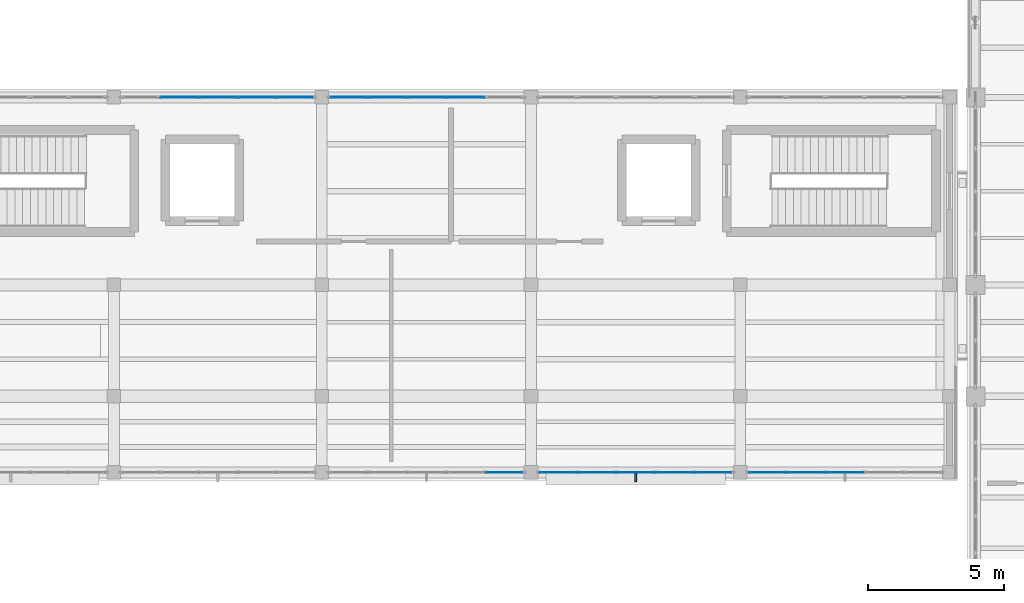
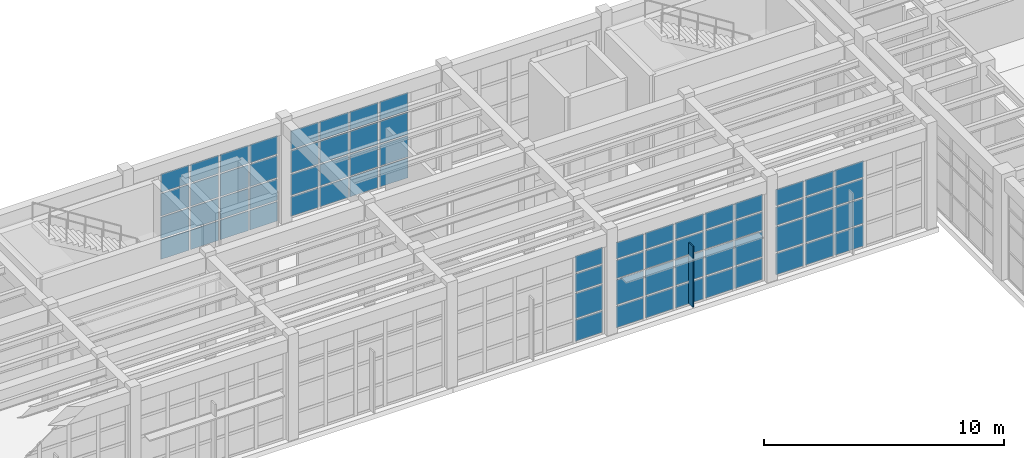
# One storey, part 71 of 103: 69 plates, 5 elements without a shape of their own.
"""IFC4 building model written with IfcOpenShell, lengths in metres."""

from ifc_helpers import new_model, si_unit, direction, frame, origin, origin_2d, place, context, subcontext, project, spatial, rectangle, extrude, material, layer, layer_set, type_object, element, aggregate, save


model = new_model("IFC4")

# Units and contexts
model_context = context("Model", 3, precision=1e-05, world=origin(), true_north=direction((0.0, 1.0)))
body_context = subcontext(model_context, "Body", "Model", "MODEL_VIEW")
ifc_project = project(units=[si_unit("LENGTHUNIT", "METRE"), si_unit("AREAUNIT", "SQUARE_METRE"), si_unit("VOLUMEUNIT", "CUBIC_METRE"), si_unit("PLANEANGLEUNIT", "RADIAN"), si_unit("MASSUNIT", "GRAM", prefix="KILO")], contexts=[model_context])

# Site, building, storey
site_placement = place(None, origin())
site = spatial("IfcSite", under=ifc_project, at=site_placement, CompositionType="ELEMENT")
building_placement = place(site_placement, origin())
building = spatial("IfcBuilding", under=site, at=building_placement, Name="Candilejo Ridge Gondola Terminal", CompositionType="ELEMENT")
storey_placement = place(building_placement, frame((0.0, 0.0, 9.0)))
storey = spatial("IfcBuildingStorey", under=building, at=storey_placement, Name="L02", CompositionType="ELEMENT", Elevation=9.0)

# Curtain wall, plates
ifc_material_1 = material(Name="Anodised aluminium AA 6063-T6", Category="aluminium")
ifc_layer_1 = layer(ifc_material_1, 0.169921875)
ifc_layer_set_1 = layer_set([ifc_layer_1], Name="ARC-CW-GALLERY-3200-715X449")
curtain_wall_type_1 = type_object("IfcCurtainWallType", Name="ARC-CW-GALLERY-3200-715X449", PredefinedType="NOTDEFINED", material=ifc_layer_set_1)
curtain_wall_1_placement = place(storey_placement, origin())
curtain_wall_1 = element("IfcCurtainWall", 1, at=curtain_wall_1_placement, inside=storey, type_object=curtain_wall_type_1, Name="Curtain wall V3 L02-086", PredefinedType="NOTDEFINED")
ifc_material_2 = material(Name="Low-E laminated double glazing 6+12A+6+1.52PVB+6 mm", Category="glass")
ifc_layer_2 = layer(ifc_material_2, 0.028076171875)
ifc_layer_set_2 = layer_set([ifc_layer_2], Name="ARC-CW-GLAZ-PANEL")
plate_type_1 = type_object("IfcPlateType", Name="ARC-CW-GLAZ-PANEL", PredefinedType="CURTAIN_PANEL", material=ifc_layer_set_2)
plate_1_placement = place(storey_placement, frame((104.594970703125, 36.699951171875, 0.0751953125), z_axis=(0.0, 0.0, 1.0), x_axis=(1.0, 0.0, 0.0)))
plate_1 = element("IfcPlate", 2, at=plate_1_placement, type_object=plate_type_1, Name="CW-71X44 panel 2.1", PredefinedType="CURTAIN_PANEL", context=body_context, shape_type="SweptSolid", body=[
    extrude(rectangle(XDim=1.35498046875, YDim=0.028076171875, at=origin_2d()), origin(), (0.0, 0.0, 1.0), 0.987548828125),
])
plate_2_placement = place(storey_placement, frame((104.594970703125, 36.699951171875, 1.1376953125), z_axis=(0.0, 0.0, 1.0), x_axis=(1.0, 0.0, 0.0)))
plate_2 = element("IfcPlate", 3, at=plate_2_placement, type_object=plate_type_1, Name="CW-71X44 panel 2.2", PredefinedType="CURTAIN_PANEL", context=body_context, shape_type="SweptSolid", body=[
    extrude(rectangle(XDim=1.35498046875, YDim=0.028076171875, at=origin_2d()), origin(), (0.0, 0.0, 1.0), 1.074951171875),
])
plate_3_placement = place(storey_placement, frame((104.594970703125, 36.699951171875, 2.28759765625), z_axis=(0.0, 0.0, 1.0), x_axis=(1.0, 0.0, 0.0)))
plate_3 = element("IfcPlate", 4, at=plate_3_placement, type_object=plate_type_1, Name="CW-71X44 panel 2.3", PredefinedType="CURTAIN_PANEL", context=body_context, shape_type="SweptSolid", body=[
    extrude(rectangle(XDim=1.35498046875, YDim=0.028076171875, at=origin_2d()), origin(), (0.0, 0.0, 1.0), 1.125),
])
plate_4_placement = place(storey_placement, frame((104.594970703125, 36.699951171875, 3.4873046875), z_axis=(0.0, 0.0, 1.0), x_axis=(1.0, 0.0, 0.0)))
plate_4 = element("IfcPlate", 5, at=plate_4_placement, type_object=plate_type_1, Name="CW-71X44 panel 2.4", PredefinedType="CURTAIN_PANEL", context=body_context, shape_type="SweptSolid", body=[
    extrude(rectangle(XDim=1.35498046875, YDim=0.028076171875, at=origin_2d()), origin(), (0.0, 0.0, 1.0), 0.927490234375),
])
plate_5_placement = place(storey_placement, frame((106.02490234375, 36.699951171875, 0.0751953125), z_axis=(0.0, 0.0, 1.0), x_axis=(1.0, 0.0, 0.0)))
plate_5 = element("IfcPlate", 6, at=plate_5_placement, type_object=plate_type_1, Name="CW-71X44 panel 3.1", PredefinedType="CURTAIN_PANEL", context=body_context, shape_type="SweptSolid", body=[
    extrude(rectangle(XDim=1.35498046875, YDim=0.028076171875, at=origin_2d()), origin(), (0.0, 0.0, 1.0), 0.987548828125),
])
plate_6_placement = place(storey_placement, frame((106.02490234375, 36.699951171875, 1.1376953125), z_axis=(0.0, 0.0, 1.0), x_axis=(1.0, 0.0, 0.0)))
plate_6 = element("IfcPlate", 7, at=plate_6_placement, type_object=plate_type_1, Name="CW-71X44 panel 3.2", PredefinedType="CURTAIN_PANEL", context=body_context, shape_type="SweptSolid", body=[
    extrude(rectangle(XDim=1.35498046875, YDim=0.028076171875, at=origin_2d()), origin(), (0.0, 0.0, 1.0), 1.074951171875),
])
plate_7_placement = place(storey_placement, frame((106.02490234375, 36.699951171875, 2.28759765625), z_axis=(0.0, 0.0, 1.0), x_axis=(1.0, 0.0, 0.0)))
plate_7 = element("IfcPlate", 8, at=plate_7_placement, type_object=plate_type_1, Name="CW-71X44 panel 3.3", PredefinedType="CURTAIN_PANEL", context=body_context, shape_type="SweptSolid", body=[
    extrude(rectangle(XDim=1.35498046875, YDim=0.028076171875, at=origin_2d()), origin(), (0.0, 0.0, 1.0), 1.125),
])
plate_8_placement = place(storey_placement, frame((106.02490234375, 36.699951171875, 3.4873046875), z_axis=(0.0, 0.0, 1.0), x_axis=(1.0, 0.0, 0.0)))
plate_8 = element("IfcPlate", 9, at=plate_8_placement, type_object=plate_type_1, Name="CW-71X44 panel 3.4", PredefinedType="CURTAIN_PANEL", context=body_context, shape_type="SweptSolid", body=[
    extrude(rectangle(XDim=1.35498046875, YDim=0.028076171875, at=origin_2d()), origin(), (0.0, 0.0, 1.0), 0.927490234375),
])
plate_9_placement = place(storey_placement, frame((107.455078125, 36.699951171875, 0.0751953125), z_axis=(0.0, 0.0, 1.0), x_axis=(1.0, 0.0, 0.0)))
plate_9 = element("IfcPlate", 10, at=plate_9_placement, type_object=plate_type_1, Name="CW-71X44 panel 4.1", PredefinedType="CURTAIN_PANEL", context=body_context, shape_type="SweptSolid", body=[
    extrude(rectangle(XDim=1.35498046875, YDim=0.028076171875, at=origin_2d()), origin(), (0.0, 0.0, 1.0), 0.987548828125),
])
plate_10_placement = place(storey_placement, frame((107.455078125, 36.699951171875, 1.1376953125), z_axis=(0.0, 0.0, 1.0), x_axis=(1.0, 0.0, 0.0)))
plate_10 = element("IfcPlate", 11, at=plate_10_placement, type_object=plate_type_1, Name="CW-71X44 panel 4.2", PredefinedType="CURTAIN_PANEL", context=body_context, shape_type="SweptSolid", body=[
    extrude(rectangle(XDim=1.35498046875, YDim=0.028076171875, at=origin_2d()), origin(), (0.0, 0.0, 1.0), 1.074951171875),
])
plate_11_placement = place(storey_placement, frame((107.455078125, 36.699951171875, 2.28759765625), z_axis=(0.0, 0.0, 1.0), x_axis=(1.0, 0.0, 0.0)))
plate_11 = element("IfcPlate", 12, at=plate_11_placement, type_object=plate_type_1, Name="CW-71X44 panel 4.3", PredefinedType="CURTAIN_PANEL", context=body_context, shape_type="SweptSolid", body=[
    extrude(rectangle(XDim=1.35498046875, YDim=0.028076171875, at=origin_2d()), origin(), (0.0, 0.0, 1.0), 1.125),
])
plate_12_placement = place(storey_placement, frame((107.455078125, 36.699951171875, 3.4873046875), z_axis=(0.0, 0.0, 1.0), x_axis=(1.0, 0.0, 0.0)))
plate_12 = element("IfcPlate", 13, at=plate_12_placement, type_object=plate_type_1, Name="CW-71X44 panel 4.4", PredefinedType="CURTAIN_PANEL", context=body_context, shape_type="SweptSolid", body=[
    extrude(rectangle(XDim=1.35498046875, YDim=0.028076171875, at=origin_2d()), origin(), (0.0, 0.0, 1.0), 0.927490234375),
])
plate_13_placement = place(storey_placement, frame((108.8662109375, 36.699951171875, 0.0751953125), z_axis=(0.0, 0.0, 1.0), x_axis=(1.0, 0.0, 0.0)))
plate_13 = element("IfcPlate", 14, at=plate_13_placement, type_object=plate_type_1, Name="CW-71X44 panel 5.1", PredefinedType="CURTAIN_PANEL", context=body_context, shape_type="SweptSolid", body=[
    extrude(rectangle(XDim=1.3173828125, YDim=0.028076171875, at=origin_2d()), origin(), (0.0, 0.0, 1.0), 0.987548828125),
])
plate_14_placement = place(storey_placement, frame((108.8662109375, 36.699951171875, 1.1376953125), z_axis=(0.0, 0.0, 1.0), x_axis=(1.0, 0.0, 0.0)))
plate_14 = element("IfcPlate", 15, at=plate_14_placement, type_object=plate_type_1, Name="CW-71X44 panel 5.2", PredefinedType="CURTAIN_PANEL", context=body_context, shape_type="SweptSolid", body=[
    extrude(rectangle(XDim=1.3173828125, YDim=0.028076171875, at=origin_2d()), origin(), (0.0, 0.0, 1.0), 1.074951171875),
])
plate_15_placement = place(storey_placement, frame((108.8662109375, 36.699951171875, 2.28759765625), z_axis=(0.0, 0.0, 1.0), x_axis=(1.0, 0.0, 0.0)))
plate_15 = element("IfcPlate", 16, at=plate_15_placement, type_object=plate_type_1, Name="CW-71X44 panel 5.3", PredefinedType="CURTAIN_PANEL", context=body_context, shape_type="SweptSolid", body=[
    extrude(rectangle(XDim=1.3173828125, YDim=0.028076171875, at=origin_2d()), origin(), (0.0, 0.0, 1.0), 1.125),
])
plate_16_placement = place(storey_placement, frame((108.8662109375, 36.699951171875, 3.4873046875), z_axis=(0.0, 0.0, 1.0), x_axis=(1.0, 0.0, 0.0)))
plate_16 = element("IfcPlate", 17, at=plate_16_placement, type_object=plate_type_1, Name="CW-71X44 panel 5.4", PredefinedType="CURTAIN_PANEL", context=body_context, shape_type="SweptSolid", body=[
    extrude(rectangle(XDim=1.3173828125, YDim=0.028076171875, at=origin_2d()), origin(), (0.0, 0.0, 1.0), 0.927490234375),
])
aggregate(curtain_wall_1, [plate_1, plate_2, plate_3, plate_4, plate_5, plate_6, plate_7, plate_8, plate_9, plate_10, plate_11, plate_12, plate_13, plate_14, plate_15, plate_16])

ifc_material_3 = material(Name="Anodised aluminium AA 6063-T6", Category="aluminium")
ifc_layer_3 = layer(ifc_material_3, 0.169921875)
ifc_layer_set_3 = layer_set([ifc_layer_3], Name="ARC-CW-GALLERY-3200-720X449")
curtain_wall_type_2 = type_object("IfcCurtainWallType", Name="ARC-CW-GALLERY-3200-720X449", PredefinedType="NOTDEFINED", material=ifc_layer_set_3)
curtain_wall_2_placement = place(storey_placement, origin())
curtain_wall_2 = element("IfcCurtainWall", 18, at=curtain_wall_2_placement, inside=storey, type_object=curtain_wall_type_2, Name="Curtain wall V3 L02-088", PredefinedType="NOTDEFINED")
plate_17_placement = place(storey_placement, frame((110.8388671875, 36.699951171875, 0.0751953125), z_axis=(0.0, 0.0, 1.0), x_axis=(1.0, 0.0, 0.0)))
plate_17 = element("IfcPlate", 19, at=plate_17_placement, type_object=plate_type_1, Name="CW-72X44 panel 1.1", PredefinedType="CURTAIN_PANEL", context=body_context, shape_type="SweptSolid", body=[
    extrude(rectangle(XDim=1.327392578125, YDim=0.028076171875, at=origin_2d()), origin(), (0.0, 0.0, 1.0), 0.987548828125),
])
plate_18_placement = place(storey_placement, frame((110.8388671875, 36.699951171875, 1.1376953125), z_axis=(0.0, 0.0, 1.0), x_axis=(1.0, 0.0, 0.0)))
plate_18 = element("IfcPlate", 20, at=plate_18_placement, type_object=plate_type_1, Name="CW-72X44 panel 1.2", PredefinedType="CURTAIN_PANEL", context=body_context, shape_type="SweptSolid", body=[
    extrude(rectangle(XDim=1.327392578125, YDim=0.028076171875, at=origin_2d()), origin(), (0.0, 0.0, 1.0), 1.074951171875),
])
plate_19_placement = place(storey_placement, frame((110.8388671875, 36.699951171875, 2.28759765625), z_axis=(0.0, 0.0, 1.0), x_axis=(1.0, 0.0, 0.0)))
plate_19 = element("IfcPlate", 21, at=plate_19_placement, type_object=plate_type_1, Name="CW-72X44 panel 1.3", PredefinedType="CURTAIN_PANEL", context=body_context, shape_type="SweptSolid", body=[
    extrude(rectangle(XDim=1.327392578125, YDim=0.028076171875, at=origin_2d()), origin(), (0.0, 0.0, 1.0), 1.125),
])
plate_20_placement = place(storey_placement, frame((110.8388671875, 36.699951171875, 3.4873046875), z_axis=(0.0, 0.0, 1.0), x_axis=(1.0, 0.0, 0.0)))
plate_20 = element("IfcPlate", 22, at=plate_20_placement, type_object=plate_type_1, Name="CW-72X44 panel 1.4", PredefinedType="CURTAIN_PANEL", context=body_context, shape_type="SweptSolid", body=[
    extrude(rectangle(XDim=1.327392578125, YDim=0.028076171875, at=origin_2d()), origin(), (0.0, 0.0, 1.0), 0.927490234375),
])
plate_21_placement = place(storey_placement, frame((112.260009765625, 36.699951171875, 0.0751953125), z_axis=(0.0, 0.0, 1.0), x_axis=(1.0, 0.0, 0.0)))
plate_21 = element("IfcPlate", 23, at=plate_21_placement, type_object=plate_type_1, Name="CW-72X44 panel 2.1", PredefinedType="CURTAIN_PANEL", context=body_context, shape_type="SweptSolid", body=[
    extrude(rectangle(XDim=1.364990234375, YDim=0.028076171875, at=origin_2d()), origin(), (0.0, 0.0, 1.0), 0.987548828125),
])
plate_22_placement = place(storey_placement, frame((112.260009765625, 36.699951171875, 1.1376953125), z_axis=(0.0, 0.0, 1.0), x_axis=(1.0, 0.0, 0.0)))
plate_22 = element("IfcPlate", 24, at=plate_22_placement, type_object=plate_type_1, Name="CW-72X44 panel 2.2", PredefinedType="CURTAIN_PANEL", context=body_context, shape_type="SweptSolid", body=[
    extrude(rectangle(XDim=1.364990234375, YDim=0.028076171875, at=origin_2d()), origin(), (0.0, 0.0, 1.0), 1.074951171875),
])
plate_23_placement = place(storey_placement, frame((112.260009765625, 36.699951171875, 2.28759765625), z_axis=(0.0, 0.0, 1.0), x_axis=(1.0, 0.0, 0.0)))
plate_23 = element("IfcPlate", 25, at=plate_23_placement, type_object=plate_type_1, Name="CW-72X44 panel 2.3", PredefinedType="CURTAIN_PANEL", context=body_context, shape_type="SweptSolid", body=[
    extrude(rectangle(XDim=1.364990234375, YDim=0.028076171875, at=origin_2d()), origin(), (0.0, 0.0, 1.0), 1.125),
])
plate_24_placement = place(storey_placement, frame((112.260009765625, 36.699951171875, 3.4873046875), z_axis=(0.0, 0.0, 1.0), x_axis=(1.0, 0.0, 0.0)))
plate_24 = element("IfcPlate", 26, at=plate_24_placement, type_object=plate_type_1, Name="CW-72X44 panel 2.4", PredefinedType="CURTAIN_PANEL", context=body_context, shape_type="SweptSolid", body=[
    extrude(rectangle(XDim=1.364990234375, YDim=0.028076171875, at=origin_2d()), origin(), (0.0, 0.0, 1.0), 0.927490234375),
])
plate_25_placement = place(storey_placement, frame((113.699951171875, 36.699951171875, 0.0751953125), z_axis=(0.0, 0.0, 1.0), x_axis=(1.0, 0.0, 0.0)))
plate_25 = element("IfcPlate", 27, at=plate_25_placement, type_object=plate_type_1, Name="CW-72X44 panel 3.1", PredefinedType="CURTAIN_PANEL", context=body_context, shape_type="SweptSolid", body=[
    extrude(rectangle(XDim=1.364990234375, YDim=0.028076171875, at=origin_2d()), origin(), (0.0, 0.0, 1.0), 0.987548828125),
])
plate_26_placement = place(storey_placement, frame((113.699951171875, 36.699951171875, 1.1376953125), z_axis=(0.0, 0.0, 1.0), x_axis=(1.0, 0.0, 0.0)))
plate_26 = element("IfcPlate", 28, at=plate_26_placement, type_object=plate_type_1, Name="CW-72X44 panel 3.2", PredefinedType="CURTAIN_PANEL", context=body_context, shape_type="SweptSolid", body=[
    extrude(rectangle(XDim=1.364990234375, YDim=0.028076171875, at=origin_2d()), origin(), (0.0, 0.0, 1.0), 1.074951171875),
])
plate_27_placement = place(storey_placement, frame((113.699951171875, 36.699951171875, 2.28759765625), z_axis=(0.0, 0.0, 1.0), x_axis=(1.0, 0.0, 0.0)))
plate_27 = element("IfcPlate", 29, at=plate_27_placement, type_object=plate_type_1, Name="CW-72X44 panel 3.3", PredefinedType="CURTAIN_PANEL", context=body_context, shape_type="SweptSolid", body=[
    extrude(rectangle(XDim=1.364990234375, YDim=0.028076171875, at=origin_2d()), origin(), (0.0, 0.0, 1.0), 1.125),
])
plate_28_placement = place(storey_placement, frame((113.699951171875, 36.699951171875, 3.4873046875), z_axis=(0.0, 0.0, 1.0), x_axis=(1.0, 0.0, 0.0)))
plate_28 = element("IfcPlate", 30, at=plate_28_placement, type_object=plate_type_1, Name="CW-72X44 panel 3.4", PredefinedType="CURTAIN_PANEL", context=body_context, shape_type="SweptSolid", body=[
    extrude(rectangle(XDim=1.364990234375, YDim=0.028076171875, at=origin_2d()), origin(), (0.0, 0.0, 1.0), 0.927490234375),
])
plate_29_placement = place(storey_placement, frame((115.139892578125, 36.699951171875, 0.0751953125), z_axis=(0.0, 0.0, 1.0), x_axis=(1.0, 0.0, 0.0)))
plate_29 = element("IfcPlate", 31, at=plate_29_placement, type_object=plate_type_1, Name="CW-72X44 panel 4.1", PredefinedType="CURTAIN_PANEL", context=body_context, shape_type="SweptSolid", body=[
    extrude(rectangle(XDim=1.364990234375, YDim=0.028076171875, at=origin_2d()), origin(), (0.0, 0.0, 1.0), 0.987548828125),
])
plate_30_placement = place(storey_placement, frame((115.139892578125, 36.699951171875, 1.1376953125), z_axis=(0.0, 0.0, 1.0), x_axis=(1.0, 0.0, 0.0)))
plate_30 = element("IfcPlate", 32, at=plate_30_placement, type_object=plate_type_1, Name="CW-72X44 panel 4.2", PredefinedType="CURTAIN_PANEL", context=body_context, shape_type="SweptSolid", body=[
    extrude(rectangle(XDim=1.364990234375, YDim=0.028076171875, at=origin_2d()), origin(), (0.0, 0.0, 1.0), 1.074951171875),
])
plate_31_placement = place(storey_placement, frame((115.139892578125, 36.699951171875, 2.28759765625), z_axis=(0.0, 0.0, 1.0), x_axis=(1.0, 0.0, 0.0)))
plate_31 = element("IfcPlate", 33, at=plate_31_placement, type_object=plate_type_1, Name="CW-72X44 panel 4.3", PredefinedType="CURTAIN_PANEL", context=body_context, shape_type="SweptSolid", body=[
    extrude(rectangle(XDim=1.364990234375, YDim=0.028076171875, at=origin_2d()), origin(), (0.0, 0.0, 1.0), 1.125),
])
plate_32_placement = place(storey_placement, frame((115.139892578125, 36.699951171875, 3.4873046875), z_axis=(0.0, 0.0, 1.0), x_axis=(1.0, 0.0, 0.0)))
plate_32 = element("IfcPlate", 34, at=plate_32_placement, type_object=plate_type_1, Name="CW-72X44 panel 4.4", PredefinedType="CURTAIN_PANEL", context=body_context, shape_type="SweptSolid", body=[
    extrude(rectangle(XDim=1.364990234375, YDim=0.028076171875, at=origin_2d()), origin(), (0.0, 0.0, 1.0), 0.927490234375),
])
aggregate(curtain_wall_2, [plate_17, plate_18, plate_19, plate_20, plate_21, plate_22, plate_23, plate_24, plate_25, plate_26, plate_27, plate_28, plate_29, plate_30, plate_31, plate_32])

ifc_material_4 = material(Name="Anodised aluminium AA 6063-T6", Category="aluminium")
ifc_layer_4 = layer(ifc_material_4, 0.169921875)
ifc_layer_set_4 = layer_set([ifc_layer_4], Name="ARC-CW-CONCOURSE-3600-720X449")
curtain_wall_type_3 = type_object("IfcCurtainWallType", Name="ARC-CW-CONCOURSE-3600-720X449", PredefinedType="NOTDEFINED", material=ifc_layer_set_4)
curtain_wall_3_placement = place(storey_placement, origin())
curtain_wall_3 = element("IfcCurtainWall", 35, at=curtain_wall_3_placement, inside=storey, type_object=curtain_wall_type_3, Name="Curtain wall V3 L02-089", PredefinedType="NOTDEFINED")
plate_33_placement = place(storey_placement, frame((116.561279296875, 22.89990234375, 0.074951171875), z_axis=(0.0, 0.0, 1.0), x_axis=(1.0, 0.0, 0.0)))
plate_33 = element("IfcPlate", 36, at=plate_33_placement, type_object=plate_type_1, Name="CW-72X44 panel 5.1", PredefinedType="CURTAIN_PANEL", context=body_context, shape_type="SweptSolid", body=[
    extrude(rectangle(XDim=1.327392578125, YDim=0.028076171875, at=origin_2d()), origin(), (0.0, 0.0, 1.0), 1.08740234375),
])
plate_34_placement = place(storey_placement, frame((116.561279296875, 22.89990234375, 1.237548828125), z_axis=(0.0, 0.0, 1.0), x_axis=(1.0, 0.0, 0.0)))
plate_34 = element("IfcPlate", 37, at=plate_34_placement, type_object=plate_type_1, Name="CW-72X44 panel 5.2", PredefinedType="CURTAIN_PANEL", context=body_context, shape_type="SweptSolid", body=[
    extrude(rectangle(XDim=1.327392578125, YDim=0.028076171875, at=origin_2d()), origin(), (0.0, 0.0, 1.0), 1.27490234375),
])
plate_35_placement = place(storey_placement, frame((116.561279296875, 22.89990234375, 2.58740234375), z_axis=(0.0, 0.0, 1.0), x_axis=(1.0, 0.0, 0.0)))
plate_35 = element("IfcPlate", 38, at=plate_35_placement, type_object=plate_type_1, Name="CW-72X44 panel 5.3", PredefinedType="CURTAIN_PANEL", context=body_context, shape_type="SweptSolid", body=[
    extrude(rectangle(XDim=1.327392578125, YDim=0.028076171875, at=origin_2d()), origin(), (0.0, 0.0, 1.0), 0.925048828125),
])
plate_36_placement = place(storey_placement, frame((116.561279296875, 22.89990234375, 3.58740234375), z_axis=(0.0, 0.0, 1.0), x_axis=(1.0, 0.0, 0.0)))
plate_36 = element("IfcPlate", 39, at=plate_36_placement, type_object=plate_type_1, Name="CW-72X44 panel 5.4", PredefinedType="CURTAIN_PANEL", context=body_context, shape_type="SweptSolid", body=[
    extrude(rectangle(XDim=1.327392578125, YDim=0.028076171875, at=origin_2d()), origin(), (0.0, 0.0, 1.0), 0.827392578125),
])
aggregate(curtain_wall_3, [plate_33, plate_34, plate_35, plate_36])

curtain_wall_4_placement = place(storey_placement, origin())
curtain_wall_4 = element("IfcCurtainWall", 40, at=curtain_wall_4_placement, inside=storey, type_object=curtain_wall_type_3, Name="Curtain wall V3 L02-091", PredefinedType="NOTDEFINED")
plate_37_placement = place(storey_placement, frame((118.538818359375, 22.89990234375, 0.074951171875), z_axis=(0.0, 0.0, 1.0), x_axis=(1.0, 0.0, 0.0)))
plate_37 = element("IfcPlate", 41, at=plate_37_placement, type_object=plate_type_1, Name="CW-72X44 panel 1.1", PredefinedType="CURTAIN_PANEL", context=body_context, shape_type="SweptSolid", body=[
    extrude(rectangle(XDim=1.327392578125, YDim=0.028076171875, at=origin_2d()), origin(), (0.0, 0.0, 1.0), 1.08740234375),
])
plate_38_placement = place(storey_placement, frame((118.538818359375, 22.89990234375, 1.237548828125), z_axis=(0.0, 0.0, 1.0), x_axis=(1.0, 0.0, 0.0)))
plate_38 = element("IfcPlate", 42, at=plate_38_placement, type_object=plate_type_1, Name="CW-72X44 panel 1.2", PredefinedType="CURTAIN_PANEL", context=body_context, shape_type="SweptSolid", body=[
    extrude(rectangle(XDim=1.327392578125, YDim=0.028076171875, at=origin_2d()), origin(), (0.0, 0.0, 1.0), 1.27490234375),
])
plate_39_placement = place(storey_placement, frame((118.538818359375, 22.89990234375, 2.58740234375), z_axis=(0.0, 0.0, 1.0), x_axis=(1.0, 0.0, 0.0)))
plate_39 = element("IfcPlate", 43, at=plate_39_placement, type_object=plate_type_1, Name="CW-72X44 panel 1.3", PredefinedType="CURTAIN_PANEL", context=body_context, shape_type="SweptSolid", body=[
    extrude(rectangle(XDim=1.327392578125, YDim=0.028076171875, at=origin_2d()), origin(), (0.0, 0.0, 1.0), 0.925048828125),
])
plate_40_placement = place(storey_placement, frame((118.538818359375, 22.89990234375, 3.58740234375), z_axis=(0.0, 0.0, 1.0), x_axis=(1.0, 0.0, 0.0)))
plate_40 = element("IfcPlate", 44, at=plate_40_placement, type_object=plate_type_1, Name="CW-72X44 panel 1.4", PredefinedType="CURTAIN_PANEL", context=body_context, shape_type="SweptSolid", body=[
    extrude(rectangle(XDim=1.327392578125, YDim=0.028076171875, at=origin_2d()), origin(), (0.0, 0.0, 1.0), 0.827392578125),
])
plate_41_placement = place(storey_placement, frame((119.9599609375, 22.89990234375, 0.074951171875), z_axis=(0.0, 0.0, 1.0), x_axis=(1.0, 0.0, 0.0)))
plate_41 = element("IfcPlate", 45, at=plate_41_placement, type_object=plate_type_1, Name="CW-72X44 panel 2.1", PredefinedType="CURTAIN_PANEL", context=body_context, shape_type="SweptSolid", body=[
    extrude(rectangle(XDim=1.364990234375, YDim=0.028076171875, at=origin_2d()), origin(), (0.0, 0.0, 1.0), 1.08740234375),
])
plate_42_placement = place(storey_placement, frame((119.9599609375, 22.89990234375, 1.237548828125), z_axis=(0.0, 0.0, 1.0), x_axis=(1.0, 0.0, 0.0)))
plate_42 = element("IfcPlate", 46, at=plate_42_placement, type_object=plate_type_1, Name="CW-72X44 panel 2.2", PredefinedType="CURTAIN_PANEL", context=body_context, shape_type="SweptSolid", body=[
    extrude(rectangle(XDim=1.364990234375, YDim=0.028076171875, at=origin_2d()), origin(), (0.0, 0.0, 1.0), 1.27490234375),
])
plate_43_placement = place(storey_placement, frame((119.9599609375, 22.89990234375, 2.58740234375), z_axis=(0.0, 0.0, 1.0), x_axis=(1.0, 0.0, 0.0)))
plate_43 = element("IfcPlate", 47, at=plate_43_placement, type_object=plate_type_1, Name="CW-72X44 panel 2.3", PredefinedType="CURTAIN_PANEL", context=body_context, shape_type="SweptSolid", body=[
    extrude(rectangle(XDim=1.364990234375, YDim=0.028076171875, at=origin_2d()), origin(), (0.0, 0.0, 1.0), 0.925048828125),
])
plate_44_placement = place(storey_placement, frame((119.9599609375, 22.89990234375, 3.58740234375), z_axis=(0.0, 0.0, 1.0), x_axis=(1.0, 0.0, 0.0)))
plate_44 = element("IfcPlate", 48, at=plate_44_placement, type_object=plate_type_1, Name="CW-72X44 panel 2.4", PredefinedType="CURTAIN_PANEL", context=body_context, shape_type="SweptSolid", body=[
    extrude(rectangle(XDim=1.364990234375, YDim=0.028076171875, at=origin_2d()), origin(), (0.0, 0.0, 1.0), 0.827392578125),
])
plate_45_placement = place(storey_placement, frame((121.39990234375, 22.89990234375, 0.074951171875), z_axis=(0.0, 0.0, 1.0), x_axis=(1.0, 0.0, 0.0)))
plate_45 = element("IfcPlate", 49, at=plate_45_placement, type_object=plate_type_1, Name="CW-72X44 panel 3.1", PredefinedType="CURTAIN_PANEL", context=body_context, shape_type="SweptSolid", body=[
    extrude(rectangle(XDim=1.364990234375, YDim=0.028076171875, at=origin_2d()), origin(), (0.0, 0.0, 1.0), 1.08740234375),
])
plate_46_placement = place(storey_placement, frame((121.39990234375, 22.89990234375, 1.237548828125), z_axis=(0.0, 0.0, 1.0), x_axis=(1.0, 0.0, 0.0)))
plate_46 = element("IfcPlate", 50, at=plate_46_placement, type_object=plate_type_1, Name="CW-72X44 panel 3.2", PredefinedType="CURTAIN_PANEL", context=body_context, shape_type="SweptSolid", body=[
    extrude(rectangle(XDim=1.364990234375, YDim=0.028076171875, at=origin_2d()), origin(), (0.0, 0.0, 1.0), 1.27490234375),
])
plate_47_placement = place(storey_placement, frame((121.39990234375, 22.89990234375, 2.58740234375), z_axis=(0.0, 0.0, 1.0), x_axis=(1.0, 0.0, 0.0)))
plate_47 = element("IfcPlate", 51, at=plate_47_placement, type_object=plate_type_1, Name="CW-72X44 panel 3.3", PredefinedType="CURTAIN_PANEL", context=body_context, shape_type="SweptSolid", body=[
    extrude(rectangle(XDim=1.364990234375, YDim=0.028076171875, at=origin_2d()), origin(), (0.0, 0.0, 1.0), 0.925048828125),
])
plate_48_placement = place(storey_placement, frame((121.39990234375, 22.89990234375, 3.58740234375), z_axis=(0.0, 0.0, 1.0), x_axis=(1.0, 0.0, 0.0)))
plate_48 = element("IfcPlate", 52, at=plate_48_placement, type_object=plate_type_1, Name="CW-72X44 panel 3.4", PredefinedType="CURTAIN_PANEL", context=body_context, shape_type="SweptSolid", body=[
    extrude(rectangle(XDim=1.364990234375, YDim=0.028076171875, at=origin_2d()), origin(), (0.0, 0.0, 1.0), 0.827392578125),
])
plate_49_placement = place(storey_placement, frame((122.840087890625, 22.89990234375, 0.074951171875), z_axis=(0.0, 0.0, 1.0), x_axis=(1.0, 0.0, 0.0)))
plate_49 = element("IfcPlate", 53, at=plate_49_placement, type_object=plate_type_1, Name="CW-72X44 panel 4.1", PredefinedType="CURTAIN_PANEL", context=body_context, shape_type="SweptSolid", body=[
    extrude(rectangle(XDim=1.364990234375, YDim=0.028076171875, at=origin_2d()), origin(), (0.0, 0.0, 1.0), 1.08740234375),
])
plate_50_placement = place(storey_placement, frame((122.840087890625, 22.89990234375, 1.237548828125), z_axis=(0.0, 0.0, 1.0), x_axis=(1.0, 0.0, 0.0)))
plate_50 = element("IfcPlate", 54, at=plate_50_placement, type_object=plate_type_1, Name="CW-72X44 panel 4.2", PredefinedType="CURTAIN_PANEL", context=body_context, shape_type="SweptSolid", body=[
    extrude(rectangle(XDim=1.364990234375, YDim=0.028076171875, at=origin_2d()), origin(), (0.0, 0.0, 1.0), 1.27490234375),
])
plate_51_placement = place(storey_placement, frame((122.840087890625, 22.89990234375, 2.58740234375), z_axis=(0.0, 0.0, 1.0), x_axis=(1.0, 0.0, 0.0)))
plate_51 = element("IfcPlate", 55, at=plate_51_placement, type_object=plate_type_1, Name="CW-72X44 panel 4.3", PredefinedType="CURTAIN_PANEL", context=body_context, shape_type="SweptSolid", body=[
    extrude(rectangle(XDim=1.364990234375, YDim=0.028076171875, at=origin_2d()), origin(), (0.0, 0.0, 1.0), 0.925048828125),
])
plate_52_placement = place(storey_placement, frame((122.840087890625, 22.89990234375, 3.58740234375), z_axis=(0.0, 0.0, 1.0), x_axis=(1.0, 0.0, 0.0)))
plate_52 = element("IfcPlate", 56, at=plate_52_placement, type_object=plate_type_1, Name="CW-72X44 panel 4.4", PredefinedType="CURTAIN_PANEL", context=body_context, shape_type="SweptSolid", body=[
    extrude(rectangle(XDim=1.364990234375, YDim=0.028076171875, at=origin_2d()), origin(), (0.0, 0.0, 1.0), 0.827392578125),
])
plate_53_placement = place(storey_placement, frame((124.26123046875, 22.89990234375, 0.074951171875), z_axis=(0.0, 0.0, 1.0), x_axis=(1.0, 0.0, 0.0)))
plate_53 = element("IfcPlate", 57, at=plate_53_placement, type_object=plate_type_1, Name="CW-72X44 panel 5.1", PredefinedType="CURTAIN_PANEL", context=body_context, shape_type="SweptSolid", body=[
    extrude(rectangle(XDim=1.327392578125, YDim=0.028076171875, at=origin_2d()), origin(), (0.0, 0.0, 1.0), 1.08740234375),
])
plate_54_placement = place(storey_placement, frame((124.26123046875, 22.89990234375, 1.237548828125), z_axis=(0.0, 0.0, 1.0), x_axis=(1.0, 0.0, 0.0)))
plate_54 = element("IfcPlate", 58, at=plate_54_placement, type_object=plate_type_1, Name="CW-72X44 panel 5.2", PredefinedType="CURTAIN_PANEL", context=body_context, shape_type="SweptSolid", body=[
    extrude(rectangle(XDim=1.327392578125, YDim=0.028076171875, at=origin_2d()), origin(), (0.0, 0.0, 1.0), 1.27490234375),
])
plate_55_placement = place(storey_placement, frame((124.26123046875, 22.89990234375, 2.58740234375), z_axis=(0.0, 0.0, 1.0), x_axis=(1.0, 0.0, 0.0)))
plate_55 = element("IfcPlate", 59, at=plate_55_placement, type_object=plate_type_1, Name="CW-72X44 panel 5.3", PredefinedType="CURTAIN_PANEL", context=body_context, shape_type="SweptSolid", body=[
    extrude(rectangle(XDim=1.327392578125, YDim=0.028076171875, at=origin_2d()), origin(), (0.0, 0.0, 1.0), 0.925048828125),
])
plate_56_placement = place(storey_placement, frame((124.26123046875, 22.89990234375, 3.58740234375), z_axis=(0.0, 0.0, 1.0), x_axis=(1.0, 0.0, 0.0)))
plate_56 = element("IfcPlate", 60, at=plate_56_placement, type_object=plate_type_1, Name="CW-72X44 panel 5.4", PredefinedType="CURTAIN_PANEL", context=body_context, shape_type="SweptSolid", body=[
    extrude(rectangle(XDim=1.327392578125, YDim=0.028076171875, at=origin_2d()), origin(), (0.0, 0.0, 1.0), 0.827392578125),
])
aggregate(curtain_wall_4, [plate_37, plate_38, plate_39, plate_40, plate_41, plate_42, plate_43, plate_44, plate_45, plate_46, plate_47, plate_48, plate_49, plate_50, plate_51, plate_52, plate_53, plate_54, plate_55, plate_56])

curtain_wall_5_placement = place(storey_placement, origin())
curtain_wall_5 = element("IfcCurtainWall", 61, at=curtain_wall_5_placement, inside=storey, type_object=curtain_wall_type_3, Name="Curtain wall V3 L02-093", PredefinedType="NOTDEFINED")
plate_57_placement = place(storey_placement, frame((126.23876953125, 22.89990234375, 0.074951171875), z_axis=(0.0, 0.0, 1.0), x_axis=(1.0, 0.0, 0.0)))
plate_57 = element("IfcPlate", 62, at=plate_57_placement, type_object=plate_type_1, Name="CW-72X44 panel 1.1", PredefinedType="CURTAIN_PANEL", context=body_context, shape_type="SweptSolid", body=[
    extrude(rectangle(XDim=1.327392578125, YDim=0.028076171875, at=origin_2d()), origin(), (0.0, 0.0, 1.0), 1.08740234375),
])
plate_58_placement = place(storey_placement, frame((126.23876953125, 22.89990234375, 1.237548828125), z_axis=(0.0, 0.0, 1.0), x_axis=(1.0, 0.0, 0.0)))
plate_58 = element("IfcPlate", 63, at=plate_58_placement, type_object=plate_type_1, Name="CW-72X44 panel 1.2", PredefinedType="CURTAIN_PANEL", context=body_context, shape_type="SweptSolid", body=[
    extrude(rectangle(XDim=1.327392578125, YDim=0.028076171875, at=origin_2d()), origin(), (0.0, 0.0, 1.0), 1.27490234375),
])
plate_59_placement = place(storey_placement, frame((126.23876953125, 22.89990234375, 2.58740234375), z_axis=(0.0, 0.0, 1.0), x_axis=(1.0, 0.0, 0.0)))
plate_59 = element("IfcPlate", 64, at=plate_59_placement, type_object=plate_type_1, Name="CW-72X44 panel 1.3", PredefinedType="CURTAIN_PANEL", context=body_context, shape_type="SweptSolid", body=[
    extrude(rectangle(XDim=1.327392578125, YDim=0.028076171875, at=origin_2d()), origin(), (0.0, 0.0, 1.0), 0.925048828125),
])
plate_60_placement = place(storey_placement, frame((126.23876953125, 22.89990234375, 3.58740234375), z_axis=(0.0, 0.0, 1.0), x_axis=(1.0, 0.0, 0.0)))
plate_60 = element("IfcPlate", 65, at=plate_60_placement, type_object=plate_type_1, Name="CW-72X44 panel 1.4", PredefinedType="CURTAIN_PANEL", context=body_context, shape_type="SweptSolid", body=[
    extrude(rectangle(XDim=1.327392578125, YDim=0.028076171875, at=origin_2d()), origin(), (0.0, 0.0, 1.0), 0.827392578125),
])
plate_61_placement = place(storey_placement, frame((127.659912109375, 22.89990234375, 0.074951171875), z_axis=(0.0, 0.0, 1.0), x_axis=(1.0, 0.0, 0.0)))
plate_61 = element("IfcPlate", 66, at=plate_61_placement, type_object=plate_type_1, Name="CW-72X44 panel 2.1", PredefinedType="CURTAIN_PANEL", context=body_context, shape_type="SweptSolid", body=[
    extrude(rectangle(XDim=1.364990234375, YDim=0.028076171875, at=origin_2d()), origin(), (0.0, 0.0, 1.0), 1.08740234375),
])
plate_62_placement = place(storey_placement, frame((127.659912109375, 22.89990234375, 1.237548828125), z_axis=(0.0, 0.0, 1.0), x_axis=(1.0, 0.0, 0.0)))
plate_62 = element("IfcPlate", 67, at=plate_62_placement, type_object=plate_type_1, Name="CW-72X44 panel 2.2", PredefinedType="CURTAIN_PANEL", context=body_context, shape_type="SweptSolid", body=[
    extrude(rectangle(XDim=1.364990234375, YDim=0.028076171875, at=origin_2d()), origin(), (0.0, 0.0, 1.0), 1.27490234375),
])
plate_63_placement = place(storey_placement, frame((127.659912109375, 22.89990234375, 2.58740234375), z_axis=(0.0, 0.0, 1.0), x_axis=(1.0, 0.0, 0.0)))
plate_63 = element("IfcPlate", 68, at=plate_63_placement, type_object=plate_type_1, Name="CW-72X44 panel 2.3", PredefinedType="CURTAIN_PANEL", context=body_context, shape_type="SweptSolid", body=[
    extrude(rectangle(XDim=1.364990234375, YDim=0.028076171875, at=origin_2d()), origin(), (0.0, 0.0, 1.0), 0.925048828125),
])
plate_64_placement = place(storey_placement, frame((127.659912109375, 22.89990234375, 3.58740234375), z_axis=(0.0, 0.0, 1.0), x_axis=(1.0, 0.0, 0.0)))
plate_64 = element("IfcPlate", 69, at=plate_64_placement, type_object=plate_type_1, Name="CW-72X44 panel 2.4", PredefinedType="CURTAIN_PANEL", context=body_context, shape_type="SweptSolid", body=[
    extrude(rectangle(XDim=1.364990234375, YDim=0.028076171875, at=origin_2d()), origin(), (0.0, 0.0, 1.0), 0.827392578125),
])
plate_65_placement = place(storey_placement, frame((129.10009765625, 22.89990234375, 0.074951171875), z_axis=(0.0, 0.0, 1.0), x_axis=(1.0, 0.0, 0.0)))
plate_65 = element("IfcPlate", 70, at=plate_65_placement, type_object=plate_type_1, Name="CW-72X44 panel 3.1", PredefinedType="CURTAIN_PANEL", context=body_context, shape_type="SweptSolid", body=[
    extrude(rectangle(XDim=1.364990234375, YDim=0.028076171875, at=origin_2d()), origin(), (0.0, 0.0, 1.0), 1.08740234375),
])
plate_66_placement = place(storey_placement, frame((129.10009765625, 22.89990234375, 1.237548828125), z_axis=(0.0, 0.0, 1.0), x_axis=(1.0, 0.0, 0.0)))
plate_66 = element("IfcPlate", 71, at=plate_66_placement, type_object=plate_type_1, Name="CW-72X44 panel 3.2", PredefinedType="CURTAIN_PANEL", context=body_context, shape_type="SweptSolid", body=[
    extrude(rectangle(XDim=1.364990234375, YDim=0.028076171875, at=origin_2d()), origin(), (0.0, 0.0, 1.0), 1.27490234375),
])
plate_67_placement = place(storey_placement, frame((129.10009765625, 22.89990234375, 2.58740234375), z_axis=(0.0, 0.0, 1.0), x_axis=(1.0, 0.0, 0.0)))
plate_67 = element("IfcPlate", 72, at=plate_67_placement, type_object=plate_type_1, Name="CW-72X44 panel 3.3", PredefinedType="CURTAIN_PANEL", context=body_context, shape_type="SweptSolid", body=[
    extrude(rectangle(XDim=1.364990234375, YDim=0.028076171875, at=origin_2d()), origin(), (0.0, 0.0, 1.0), 0.925048828125),
])
plate_68_placement = place(storey_placement, frame((129.10009765625, 22.89990234375, 3.58740234375), z_axis=(0.0, 0.0, 1.0), x_axis=(1.0, 0.0, 0.0)))
plate_68 = element("IfcPlate", 73, at=plate_68_placement, type_object=plate_type_1, Name="CW-72X44 panel 3.4", PredefinedType="CURTAIN_PANEL", context=body_context, shape_type="SweptSolid", body=[
    extrude(rectangle(XDim=1.364990234375, YDim=0.028076171875, at=origin_2d()), origin(), (0.0, 0.0, 1.0), 0.827392578125),
])
aggregate(curtain_wall_5, [plate_57, plate_58, plate_59, plate_60, plate_61, plate_62, plate_63, plate_64, plate_65, plate_66, plate_67, plate_68])

# Plate
ifc_material_5 = material(Name="Extruded architectural terracotta fin", Category="masonry")
plate_type_2 = type_object("IfcPlateType", Name="ARC-SOLAR-FIN-340", PredefinedType="USERDEFINED", material=ifc_material_5)
plate_69_placement = place(storey_placement, frame((121.39990234375, 22.716064453125, 0.099853515625), z_axis=(0.0, 0.0, 1.0), x_axis=(1.0, 0.0, 0.0)))
element("IfcPlate", 74, at=plate_69_placement, inside=storey, type_object=plate_type_2, Name="Terracotta solar fin V3-28", ObjectType="SOLAR FIN", PredefinedType="USERDEFINED", context=body_context, shape_type="SweptSolid", body=[
    extrude(rectangle(XDim=0.06494140625, YDim=0.340087890625, at=origin_2d()), origin(), (0.0, 0.0, 1.0), 3.10009765625),
])

save(model, "model.ifc")
